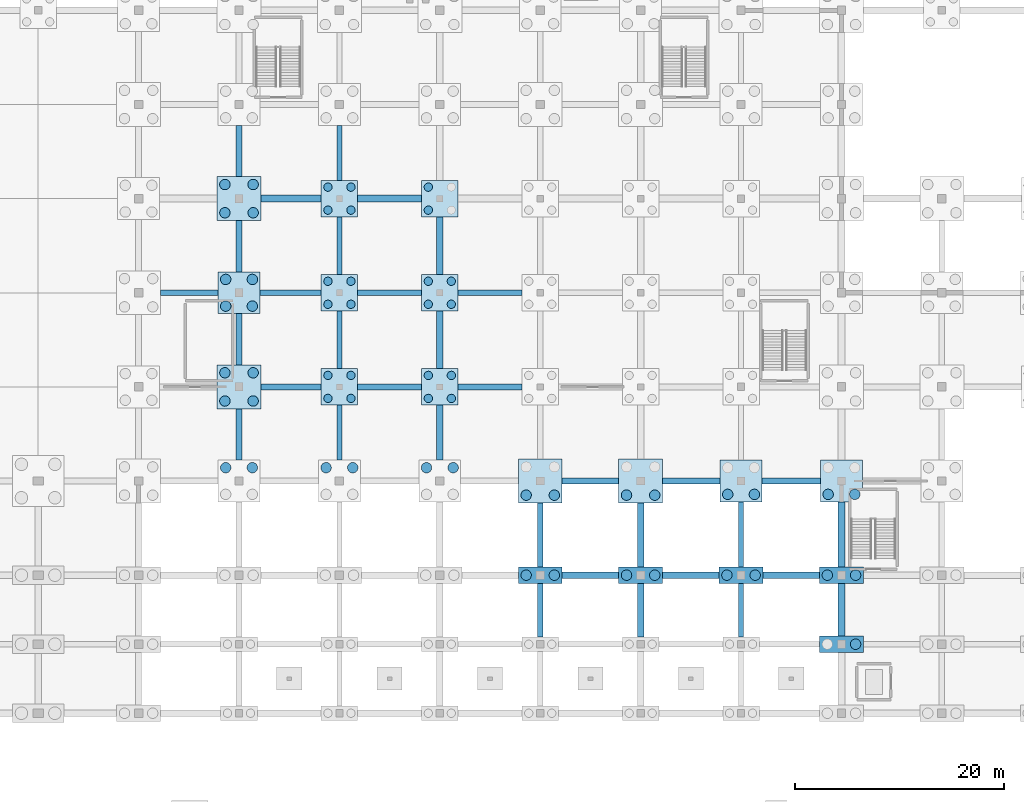
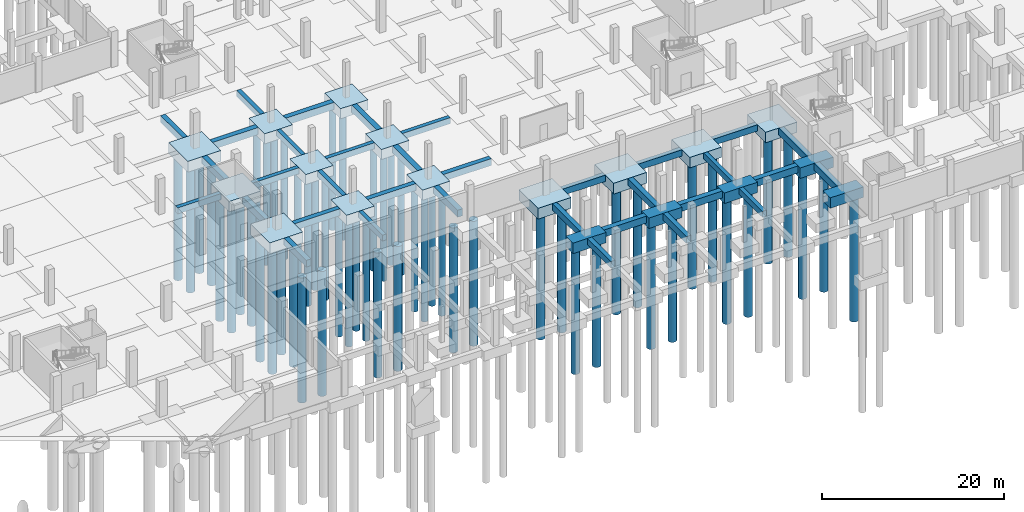
# One storey, part 4 of 39: 57 piles, 52 footings.
"""IFC4 building model written with IfcOpenShell, lengths in metres."""

from ifc_helpers import new_model, si_unit, direction, frame, origin, origin_2d, place, context, subcontext, project, spatial, polyline, rectangle, circle, outline, extrude, material, material_profile, profile_set, type_object, element, save


model = new_model("IFC4")

# Units and contexts
model_context = context("Model", 3, precision=1e-05, world=origin(), true_north=direction((0.0, 1.0)))
body_context = subcontext(model_context, "Body", "Model", "MODEL_VIEW")
ifc_project = project(units=[si_unit("LENGTHUNIT", "METRE"), si_unit("AREAUNIT", "SQUARE_METRE"), si_unit("VOLUMEUNIT", "CUBIC_METRE"), si_unit("PLANEANGLEUNIT", "RADIAN"), si_unit("MASSUNIT", "GRAM", prefix="KILO")], contexts=[model_context])

# Site, building, storey
site_placement = place(None, origin())
site = spatial("IfcSite", under=ifc_project, at=site_placement, CompositionType="ELEMENT")
building_placement = place(site_placement, origin())
building = spatial("IfcBuilding", under=site, at=building_placement, Name="Zarnetskaya Central Station", CompositionType="ELEMENT")
storey_placement = place(building_placement, frame((0.0, 0.0, -4.800048828125)))
storey = spatial("IfcBuildingStorey", under=building, at=storey_placement, Name="B1", CompositionType="ELEMENT", Elevation=-4.800048828125)

# Footings
ifc_material_1 = material(Name="Concrete C30/37", Category="concrete")
footing_type_1 = type_object("IfcFootingType", Name="FB-500x800", PredefinedType="FOOTING_BEAM", material=ifc_material_1)
footing_1_placement = place(storey_placement, frame((0.0, 0.0, -0.800048828125)))
element("IfcFooting", 1, at=footing_1_placement, inside=storey, type_object=footing_type_1, Name="Footing tie beam 6 G-H", PredefinedType="FOOTING_BEAM", context=body_context, shape_type="SweptSolid", body=[
    extrude(outline(polyline([(59.699951171875, 39.949951171875), (65.199951171875, 39.949951171875), (65.199951171875, 40.449951171875), (59.699951171875, 40.449951171875), (59.699951171875, 39.949951171875)])), origin(), (0.0, 0.0, 1.0), 0.800048828125),
])
footing_2_placement = place(storey_placement, frame((0.0, 0.0, -0.800048828125)))
element("IfcFooting", 2, at=footing_2_placement, inside=storey, type_object=footing_type_1, Name="Footing tie beam 6 H-J", PredefinedType="FOOTING_BEAM", context=body_context, shape_type="SweptSolid", body=[
    extrude(outline(polyline([(69.199951171875, 39.949951171875), (75.050048828125, 39.949951171875), (75.050048828125, 40.449951171875), (69.199951171875, 40.449951171875), (69.199951171875, 39.949951171875)])), origin(), (0.0, 0.0, 1.0), 0.800048828125),
])
footing_3_placement = place(storey_placement, frame((0.0, 0.0, -0.800048828125)))
element("IfcFooting", 3, at=footing_3_placement, inside=storey, type_object=footing_type_1, Name="Footing tie beam 6 J-K", PredefinedType="FOOTING_BEAM", context=body_context, shape_type="SweptSolid", body=[
    extrude(outline(polyline([(78.550048828125, 39.949951171875), (84.64990234375, 39.949951171875), (84.64990234375, 40.449951171875), (78.550048828125, 40.449951171875), (78.550048828125, 39.949951171875)])), origin(), (0.0, 0.0, 1.0), 0.800048828125),
])
footing_4_placement = place(storey_placement, frame((0.0, 0.0, -0.800048828125)))
element("IfcFooting", 4, at=footing_4_placement, inside=storey, type_object=footing_type_1, Name="Footing tie beam 6 K-L", PredefinedType="FOOTING_BEAM", context=body_context, shape_type="SweptSolid", body=[
    extrude(outline(polyline([(88.14990234375, 39.949951171875), (94.25, 39.949951171875), (94.25, 40.449951171875), (88.14990234375, 40.449951171875), (88.14990234375, 39.949951171875)])), origin(), (0.0, 0.0, 1.0), 0.800048828125),
])
footing_5_placement = place(storey_placement, frame((0.0, 0.0, -0.800048828125)))
element("IfcFooting", 5, at=footing_5_placement, inside=storey, type_object=footing_type_1, Name="Footing tie beam J 4-5", PredefinedType="FOOTING_BEAM", context=body_context, shape_type="SweptSolid", body=[
    extrude(outline(polyline([(76.550048828125, 24.199951171875), (77.050048828125, 24.199951171875), (77.050048828125, 29.449951171875), (76.550048828125, 29.449951171875), (76.550048828125, 24.199951171875)])), origin(), (0.0, 0.0, 1.0), 0.800048828125),
])
footing_6_placement = place(storey_placement, frame((0.0, 0.0, -0.800048828125)))
element("IfcFooting", 6, at=footing_6_placement, inside=storey, type_object=footing_type_1, Name="Footing tie beam J 5-6", PredefinedType="FOOTING_BEAM", context=body_context, shape_type="SweptSolid", body=[
    extrude(outline(polyline([(76.550048828125, 32.949951171875), (77.050048828125, 32.949951171875), (77.050048828125, 38.449951171875), (76.550048828125, 38.449951171875), (76.550048828125, 32.949951171875)])), origin(), (0.0, 0.0, 1.0), 0.800048828125),
])
footing_7_placement = place(storey_placement, frame((0.0, 0.0, -0.800048828125)))
element("IfcFooting", 7, at=footing_7_placement, inside=storey, type_object=footing_type_1, Name="Footing tie beam J 6-7", PredefinedType="FOOTING_BEAM", context=body_context, shape_type="SweptSolid", body=[
    extrude(outline(polyline([(76.550048828125, 41.949951171875), (77.050048828125, 41.949951171875), (77.050048828125, 47.449951171875), (76.550048828125, 47.449951171875), (76.550048828125, 41.949951171875)])), origin(), (0.0, 0.0, 1.0), 0.800048828125),
])
footing_8_placement = place(storey_placement, frame((0.0, 0.0, -0.800048828125)))
element("IfcFooting", 8, at=footing_8_placement, inside=storey, type_object=footing_type_1, Name="Footing tie beam J 7-8", PredefinedType="FOOTING_BEAM", context=body_context, shape_type="SweptSolid", body=[
    extrude(outline(polyline([(76.550048828125, 50.949951171875), (77.050048828125, 50.949951171875), (77.050048828125, 56.199951171875), (76.550048828125, 56.199951171875), (76.550048828125, 50.949951171875)])), origin(), (0.0, 0.0, 1.0), 0.800048828125),
])
footing_9_placement = place(storey_placement, frame((0.0, 0.0, -0.800048828125)))
element("IfcFooting", 9, at=footing_9_placement, inside=storey, type_object=footing_type_1, Name="Footing tie beam N 2-3", PredefinedType="FOOTING_BEAM", context=body_context, shape_type="SweptSolid", body=[
    extrude(outline(polyline([(114.949951171875, 7.27490234375), (115.449951171875, 7.27490234375), (115.449951171875, 12.39990234375), (114.949951171875, 12.39990234375), (114.949951171875, 7.27490234375)])), origin(), (0.0, 0.0, 1.0), 0.800048828125),
])
footing_10_placement = place(storey_placement, frame((0.0, 0.0, -0.800048828125)))
element("IfcFooting", 10, at=footing_10_placement, inside=storey, type_object=footing_type_1, Name="Footing tie beam N 3-4", PredefinedType="FOOTING_BEAM", context=body_context, shape_type="SweptSolid", body=[
    extrude(outline(polyline([(114.949951171875, 14.0), (115.449951171875, 14.0), (115.449951171875, 20.199951171875), (114.949951171875, 20.199951171875), (114.949951171875, 14.0)])), origin(), (0.0, 0.0, 1.0), 0.800048828125),
])
footing_type_2 = type_object("IfcFootingType", Name="FB-550x850", PredefinedType="FOOTING_BEAM", material=ifc_material_1)
footing_11_placement = place(storey_placement, frame((0.0, 0.0, -0.849853515625)))
element("IfcFooting", 11, at=footing_11_placement, inside=storey, type_object=footing_type_2, Name="Footing tie beam 4 L-M", PredefinedType="FOOTING_BEAM", context=body_context, shape_type="SweptSolid", body=[
    extrude(outline(polyline([(98.10009765625, 21.925048828125), (103.5, 21.925048828125), (103.5, 22.47509765625), (98.10009765625, 22.47509765625), (98.10009765625, 21.925048828125)])), origin(), (0.0, 0.0, 1.0), 0.849853515625),
])
footing_12_placement = place(storey_placement, frame((0.0, 0.0, -0.849853515625)))
element("IfcFooting", 12, at=footing_12_placement, inside=storey, type_object=footing_type_2, Name="Footing tie beam 4 M-N", PredefinedType="FOOTING_BEAM", context=body_context, shape_type="SweptSolid", body=[
    extrude(outline(polyline([(107.699951171875, 21.925048828125), (113.199951171875, 21.925048828125), (113.199951171875, 22.47509765625), (107.699951171875, 22.47509765625), (107.699951171875, 21.925048828125)])), origin(), (0.0, 0.0, 1.0), 0.849853515625),
])
footing_13_placement = place(storey_placement, frame((0.0, 0.0, -0.849853515625)))
element("IfcFooting", 13, at=footing_13_placement, inside=storey, type_object=footing_type_2, Name="Footing tie beam 4 N-P", PredefinedType="FOOTING_BEAM", context=body_context, shape_type="SweptSolid", body=[
    extrude(outline(polyline([(117.199951171875, 21.925048828125), (122.800048828125, 21.925048828125), (122.800048828125, 22.47509765625), (117.199951171875, 22.47509765625), (117.199951171875, 21.925048828125)])), origin(), (0.0, 0.0, 1.0), 0.849853515625),
])
footing_14_placement = place(storey_placement, frame((0.0, 0.0, -0.849853515625)))
element("IfcFooting", 14, at=footing_14_placement, inside=storey, type_object=footing_type_2, Name="Footing tie beam L 2-3", PredefinedType="FOOTING_BEAM", context=body_context, shape_type="SweptSolid", body=[
    extrude(outline(polyline([(95.72509765625, 7.27490234375), (96.27490234375, 7.27490234375), (96.27490234375, 12.39990234375), (95.72509765625, 12.39990234375), (95.72509765625, 7.27490234375)])), origin(), (0.0, 0.0, 1.0), 0.849853515625),
])
footing_15_placement = place(storey_placement, frame((0.0, 0.0, -0.849853515625)))
element("IfcFooting", 15, at=footing_15_placement, inside=storey, type_object=footing_type_2, Name="Footing tie beam L 3-4", PredefinedType="FOOTING_BEAM", context=body_context, shape_type="SweptSolid", body=[
    extrude(outline(polyline([(95.72509765625, 14.0), (96.27490234375, 14.0), (96.27490234375, 20.10009765625), (95.72509765625, 20.10009765625), (95.72509765625, 14.0)])), origin(), (0.0, 0.0, 1.0), 0.849853515625),
])
footing_type_3 = type_object("IfcFootingType", Name="FB-600x900", PredefinedType="FOOTING_BEAM", material=ifc_material_1)
footing_16_placement = place(storey_placement, frame((0.0, 0.0, -0.89990234375)))
element("IfcFooting", 16, at=footing_16_placement, inside=storey, type_object=footing_type_3, Name="Footing tie beam 5 H-J", PredefinedType="FOOTING_BEAM", context=body_context, shape_type="SweptSolid", body=[
    extrude(outline(polyline([(69.300048828125, 30.89990234375), (75.050048828125, 30.89990234375), (75.050048828125, 31.5), (69.300048828125, 31.5), (69.300048828125, 30.89990234375)])), origin(), (0.0, 0.0, 1.0), 0.89990234375),
])
footing_17_placement = place(storey_placement, frame((0.0, 0.0, -0.89990234375)))
element("IfcFooting", 17, at=footing_17_placement, inside=storey, type_object=footing_type_3, Name="Footing tie beam 5 J-K", PredefinedType="FOOTING_BEAM", context=body_context, shape_type="SweptSolid", body=[
    extrude(outline(polyline([(78.550048828125, 30.89990234375), (84.64990234375, 30.89990234375), (84.64990234375, 31.5), (78.550048828125, 31.5), (78.550048828125, 30.89990234375)])), origin(), (0.0, 0.0, 1.0), 0.89990234375),
])
footing_18_placement = place(storey_placement, frame((0.0, 0.0, -0.89990234375)))
element("IfcFooting", 18, at=footing_18_placement, inside=storey, type_object=footing_type_3, Name="Footing tie beam 5 K-L", PredefinedType="FOOTING_BEAM", context=body_context, shape_type="SweptSolid", body=[
    extrude(outline(polyline([(88.14990234375, 30.89990234375), (94.25, 30.89990234375), (94.25, 31.5), (88.14990234375, 31.5), (88.14990234375, 30.89990234375)])), origin(), (0.0, 0.0, 1.0), 0.89990234375),
])
footing_19_placement = place(storey_placement, frame((0.0, 0.0, -0.89990234375)))
element("IfcFooting", 19, at=footing_19_placement, inside=storey, type_object=footing_type_3, Name="Footing tie beam H 4-5", PredefinedType="FOOTING_BEAM", context=body_context, shape_type="SweptSolid", body=[
    extrude(outline(polyline([(66.89990234375, 24.199951171875), (67.5, 24.199951171875), (67.5, 29.10009765625), (66.89990234375, 29.10009765625), (66.89990234375, 24.199951171875)])), origin(), (0.0, 0.0, 1.0), 0.89990234375),
])
footing_20_placement = place(storey_placement, frame((0.0, 0.0, -0.89990234375)))
element("IfcFooting", 20, at=footing_20_placement, inside=storey, type_object=footing_type_3, Name="Footing tie beam H 5-6", PredefinedType="FOOTING_BEAM", context=body_context, shape_type="SweptSolid", body=[
    extrude(outline(polyline([(66.89990234375, 33.300048828125), (67.5, 33.300048828125), (67.5, 38.199951171875), (66.89990234375, 38.199951171875), (66.89990234375, 33.300048828125)])), origin(), (0.0, 0.0, 1.0), 0.89990234375),
])
footing_21_placement = place(storey_placement, frame((0.0, 0.0, -0.89990234375)))
element("IfcFooting", 21, at=footing_21_placement, inside=storey, type_object=footing_type_3, Name="Footing tie beam H 6-7", PredefinedType="FOOTING_BEAM", context=body_context, shape_type="SweptSolid", body=[
    extrude(outline(polyline([(66.89990234375, 42.199951171875), (67.5, 42.199951171875), (67.5, 47.10009765625), (66.89990234375, 47.10009765625), (66.89990234375, 42.199951171875)])), origin(), (0.0, 0.0, 1.0), 0.89990234375),
])
footing_22_placement = place(storey_placement, frame((0.0, 0.0, -0.89990234375)))
element("IfcFooting", 22, at=footing_22_placement, inside=storey, type_object=footing_type_3, Name="Footing tie beam H 7-8", PredefinedType="FOOTING_BEAM", context=body_context, shape_type="SweptSolid", body=[
    extrude(outline(polyline([(66.89990234375, 51.300048828125), (67.5, 51.300048828125), (67.5, 56.199951171875), (66.89990234375, 56.199951171875), (66.89990234375, 51.300048828125)])), origin(), (0.0, 0.0, 1.0), 0.89990234375),
])
footing_23_placement = place(storey_placement, frame((0.0, 0.0, -0.89990234375)))
element("IfcFooting", 23, at=footing_23_placement, inside=storey, type_object=footing_type_3, Name="Footing tie beam M 2-3", PredefinedType="FOOTING_BEAM", context=body_context, shape_type="SweptSolid", body=[
    extrude(outline(polyline([(105.300048828125, 7.27490234375), (105.89990234375, 7.27490234375), (105.89990234375, 12.39990234375), (105.300048828125, 12.39990234375), (105.300048828125, 7.27490234375)])), origin(), (0.0, 0.0, 1.0), 0.89990234375),
])
footing_24_placement = place(storey_placement, frame((0.0, 0.0, -0.89990234375)))
element("IfcFooting", 24, at=footing_24_placement, inside=storey, type_object=footing_type_3, Name="Footing tie beam M 3-4", PredefinedType="FOOTING_BEAM", context=body_context, shape_type="SweptSolid", body=[
    extrude(outline(polyline([(105.300048828125, 14.0), (105.89990234375, 14.0), (105.89990234375, 20.10009765625), (105.300048828125, 20.10009765625), (105.300048828125, 14.0)])), origin(), (0.0, 0.0, 1.0), 0.89990234375),
])
footing_type_4 = type_object("IfcFootingType", Name="FB-650x950", PredefinedType="FOOTING_BEAM", material=ifc_material_1)
footing_25_placement = place(storey_placement, frame((0.0, 0.0, -0.949951171875)))
element("IfcFooting", 25, at=footing_25_placement, inside=storey, type_object=footing_type_4, Name="Footing tie beam 3 L-M", PredefinedType="FOOTING_BEAM", context=body_context, shape_type="SweptSolid", body=[
    extrude(outline(polyline([(98.10009765625, 12.875), (103.5, 12.875), (103.5, 13.52490234375), (98.10009765625, 13.52490234375), (98.10009765625, 12.875)])), origin(), (0.0, 0.0, 1.0), 0.949951171875),
])
footing_26_placement = place(storey_placement, frame((0.0, 0.0, -0.949951171875)))
element("IfcFooting", 26, at=footing_26_placement, inside=storey, type_object=footing_type_4, Name="Footing tie beam 3 M-N", PredefinedType="FOOTING_BEAM", context=body_context, shape_type="SweptSolid", body=[
    extrude(outline(polyline([(107.699951171875, 12.875), (113.10009765625, 12.875), (113.10009765625, 13.52490234375), (107.699951171875, 13.52490234375), (107.699951171875, 12.875)])), origin(), (0.0, 0.0, 1.0), 0.949951171875),
])
footing_27_placement = place(storey_placement, frame((0.0, 0.0, -0.949951171875)))
element("IfcFooting", 27, at=footing_27_placement, inside=storey, type_object=footing_type_4, Name="Footing tie beam 3 N-P", PredefinedType="FOOTING_BEAM", context=body_context, shape_type="SweptSolid", body=[
    extrude(outline(polyline([(117.300048828125, 12.875), (122.699951171875, 12.875), (122.699951171875, 13.52490234375), (117.300048828125, 13.52490234375), (117.300048828125, 12.875)])), origin(), (0.0, 0.0, 1.0), 0.949951171875),
])
footing_28_placement = place(storey_placement, frame((0.0, 0.0, -0.949951171875)))
element("IfcFooting", 28, at=footing_28_placement, inside=storey, type_object=footing_type_4, Name="Footing tie beam 7 H-J", PredefinedType="FOOTING_BEAM", context=body_context, shape_type="SweptSolid", body=[
    extrude(outline(polyline([(69.300048828125, 48.875), (75.050048828125, 48.875), (75.050048828125, 49.52490234375), (69.300048828125, 49.52490234375), (69.300048828125, 48.875)])), origin(), (0.0, 0.0, 1.0), 0.949951171875),
])
footing_29_placement = place(storey_placement, frame((0.0, 0.0, -0.949951171875)))
element("IfcFooting", 29, at=footing_29_placement, inside=storey, type_object=footing_type_4, Name="Footing tie beam 7 J-K", PredefinedType="FOOTING_BEAM", context=body_context, shape_type="SweptSolid", body=[
    extrude(outline(polyline([(78.550048828125, 48.875), (84.64990234375, 48.875), (84.64990234375, 49.52490234375), (78.550048828125, 49.52490234375), (78.550048828125, 48.875)])), origin(), (0.0, 0.0, 1.0), 0.949951171875),
])
footing_30_placement = place(storey_placement, frame((0.0, 0.0, -0.949951171875)))
element("IfcFooting", 30, at=footing_30_placement, inside=storey, type_object=footing_type_4, Name="Footing tie beam K 4-5", PredefinedType="FOOTING_BEAM", context=body_context, shape_type="SweptSolid", body=[
    extrude(outline(polyline([(86.074951171875, 24.199951171875), (86.72509765625, 24.199951171875), (86.72509765625, 29.449951171875), (86.074951171875, 29.449951171875), (86.074951171875, 24.199951171875)])), origin(), (0.0, 0.0, 1.0), 0.949951171875),
])
footing_31_placement = place(storey_placement, frame((0.0, 0.0, -0.949951171875)))
element("IfcFooting", 31, at=footing_31_placement, inside=storey, type_object=footing_type_4, Name="Footing tie beam K 5-6", PredefinedType="FOOTING_BEAM", context=body_context, shape_type="SweptSolid", body=[
    extrude(outline(polyline([(86.074951171875, 32.949951171875), (86.72509765625, 32.949951171875), (86.72509765625, 38.449951171875), (86.074951171875, 38.449951171875), (86.074951171875, 32.949951171875)])), origin(), (0.0, 0.0, 1.0), 0.949951171875),
])
footing_32_placement = place(storey_placement, frame((0.0, 0.0, -0.949951171875)))
element("IfcFooting", 32, at=footing_32_placement, inside=storey, type_object=footing_type_4, Name="Footing tie beam K 6-7", PredefinedType="FOOTING_BEAM", context=body_context, shape_type="SweptSolid", body=[
    extrude(outline(polyline([(86.074951171875, 41.949951171875), (86.72509765625, 41.949951171875), (86.72509765625, 47.449951171875), (86.074951171875, 47.449951171875), (86.074951171875, 41.949951171875)])), origin(), (0.0, 0.0, 1.0), 0.949951171875),
])
footing_33_placement = place(storey_placement, frame((0.0, 0.0, -0.949951171875)))
element("IfcFooting", 33, at=footing_33_placement, inside=storey, type_object=footing_type_4, Name="Footing tie beam P 2-3", PredefinedType="FOOTING_BEAM", context=body_context, shape_type="SweptSolid", body=[
    extrude(outline(polyline([(124.47509765625, 7.39990234375), (125.125, 7.39990234375), (125.125, 12.39990234375), (124.47509765625, 12.39990234375), (124.47509765625, 7.39990234375)])), origin(), (0.0, 0.0, 1.0), 0.949951171875),
])
footing_34_placement = place(storey_placement, frame((0.0, 0.0, -0.949951171875)))
element("IfcFooting", 34, at=footing_34_placement, inside=storey, type_object=footing_type_4, Name="Footing tie beam P 3-4", PredefinedType="FOOTING_BEAM", context=body_context, shape_type="SweptSolid", body=[
    extrude(outline(polyline([(124.47509765625, 14.0), (125.125, 14.0), (125.125, 20.199951171875), (124.47509765625, 20.199951171875), (124.47509765625, 14.0)])), origin(), (0.0, 0.0, 1.0), 0.949951171875),
])
ifc_material_2 = material(Name="Concrete C35/45", Category="concrete")
footing_type_5 = type_object("IfcFootingType", Name="PC-2P-1000X", PredefinedType="PILE_CAP", material=ifc_material_2)
for number, where, z_axis, x_axis, name in (
    (35, (96.0, 13.199951171875, -1.39990234375), (0.0, 0.0, 1.0), (1.0, 0.0, 0.0), "Pile cap L3"),
    (36, (105.60009765625, 13.199951171875, -1.39990234375), (0.0, 0.0, 1.0), (1.0, 0.0, 0.0), "Pile cap M3"),
    (37, (115.199951171875, 13.199951171875, -1.39990234375), (0.0, 0.0, 1.0), (1.0, 0.0, 0.0), "Pile cap N3"),
    (38, (124.800048828125, 6.60009765625, -1.39990234375), (0.0, 0.0, 1.0), (1.0, 0.0, 0.0), "Pile cap P2"),
    (39, (124.800048828125, 13.199951171875, -1.39990234375), (0.0, 0.0, 1.0), (1.0, 0.0, 0.0), "Pile cap P3"),
):
    element("IfcFooting", number, at=place(storey_placement, frame(where, z_axis=z_axis, x_axis=x_axis)), inside=storey, type_object=footing_type_5, Name=name, PredefinedType="PILE_CAP", context=body_context, shape_type="SweptSolid", body=[
        extrude(rectangle(XDim=4.199951171875, YDim=1.60009765625, at=origin_2d()), origin(), (0.0, 0.0, 1.0), 1.39990234375),
    ])
footing_type_6 = type_object("IfcFootingType", Name="PC-4P-1000A", PredefinedType="PILE_CAP", material=ifc_material_2)
for number, where, z_axis, x_axis, name in (
    (40, (67.199951171875, 31.199951171875, -1.44970703125), (0.0, 0.0, 1.0), (1.0, 0.0, 0.0), "Pile cap H5"),
    (41, (67.199951171875, 49.199951171875, -1.44970703125), (0.0, 0.0, 1.0), (1.0, 0.0, 0.0), "Pile cap H7"),
    (42, (96.0, 22.199951171875, -1.44970703125), (0.0, 0.0, 1.0), (1.0, 0.0, 0.0), "Pile cap L4"),
    (43, (105.60009765625, 22.199951171875, -1.44970703125), (0.0, 0.0, 1.0), (1.0, 0.0, 0.0), "Pile cap M4"),
):
    element("IfcFooting", number, at=place(storey_placement, frame(where, z_axis=z_axis, x_axis=x_axis)), inside=storey, type_object=footing_type_6, Name=name, PredefinedType="PILE_CAP", context=body_context, shape_type="SweptSolid", body=[
        extrude(rectangle(XDim=4.199951171875, YDim=4.199951171875, at=origin_2d()), origin(), (0.0, 0.0, 1.0), 1.449951171875),
    ])
footing_type_7 = type_object("IfcFootingType", Name="PC-4P-1000B", PredefinedType="PILE_CAP", material=ifc_material_2)
for number, where, z_axis, x_axis, name in (
    (44, (67.199951171875, 40.199951171875, -1.39990234375), (0.0, 0.0, 1.0), (1.0, 0.0, 0.0), "Pile cap H6"),
    (45, (115.199951171875, 22.199951171875, -1.39990234375), (0.0, 0.0, 1.0), (1.0, 0.0, 0.0), "Pile cap N4"),
    (46, (124.800048828125, 22.199951171875, -1.39990234375), (0.0, 0.0, 1.0), (1.0, 0.0, 0.0), "Pile cap P4"),
):
    element("IfcFooting", number, at=place(storey_placement, frame(where, z_axis=z_axis, x_axis=x_axis)), inside=storey, type_object=footing_type_7, Name=name, PredefinedType="PILE_CAP", context=body_context, shape_type="SweptSolid", body=[
        extrude(rectangle(XDim=4.0, YDim=4.0, at=origin_2d()), origin(), (0.0, 0.0, 1.0), 1.39990234375),
    ])
footing_type_8 = type_object("IfcFootingType", Name="PC-4P-800A", PredefinedType="PILE_CAP", material=ifc_material_2)
for number, where, z_axis, x_axis, name in (
    (47, (76.800048828125, 31.199951171875, -1.35009765625), (0.0, 0.0, 1.0), (1.0, 0.0, 0.0), "Pile cap J5"),
    (48, (76.800048828125, 40.199951171875, -1.35009765625), (0.0, 0.0, 1.0), (1.0, 0.0, 0.0), "Pile cap J6"),
    (49, (76.800048828125, 49.199951171875, -1.35009765625), (0.0, 0.0, 1.0), (1.0, 0.0, 0.0), "Pile cap J7"),
    (50, (86.39990234375, 31.199951171875, -1.35009765625), (0.0, 0.0, 1.0), (1.0, 0.0, 0.0), "Pile cap K5"),
    (51, (86.39990234375, 40.199951171875, -1.35009765625), (0.0, 0.0, 1.0), (1.0, 0.0, 0.0), "Pile cap K6"),
    (52, (86.39990234375, 49.199951171875, -1.35009765625), (0.0, 0.0, 1.0), (1.0, 0.0, 0.0), "Pile cap K7"),
):
    element("IfcFooting", number, at=place(storey_placement, frame(where, z_axis=z_axis, x_axis=x_axis)), inside=storey, type_object=footing_type_8, Name=name, PredefinedType="PILE_CAP", context=body_context, shape_type="SweptSolid", body=[
        extrude(rectangle(XDim=3.5, YDim=3.5, at=origin_2d()), origin(), (0.0, 0.0, 1.0), 1.35009765625),
    ])

# Piles
ifc_material_profile_1 = material_profile(ifc_material_2, circle(Radius=0.5, at=origin_2d()), Name="BORED PILE D1000")
ifc_profile_set_1 = profile_set([ifc_material_profile_1], Name="Concrete C35/45")
pile_type_1 = type_object("IfcPileType", Name="PILE-D1000", PredefinedType="BORED", material=ifc_profile_set_1)
for number, where, z_axis, x_axis, name in (
    (53, (65.925048828125, 23.47509765625, -1.25), (0.0, 0.0, -1.0), (1.0, 0.0, 0.0), "Bored pile H4-12"),
    (54, (68.47509765625, 23.47509765625, -1.25), (0.0, 0.0, -1.0), (1.0, 0.0, 0.0), "Bored pile H4-22"),
):
    element("IfcPile", number, at=place(storey_placement, frame(where, z_axis=z_axis, x_axis=x_axis)), inside=storey, type_object=pile_type_1, Name=name, PredefinedType="BORED", context=body_context, shape_type="SweptSolid", body=[
        extrude(circle(Radius=0.5, at=origin_2d()), origin(), (0.0, 0.0, 1.0), 16.75),
    ])
for number, where, z_axis, x_axis, name in (
    (55, (65.85009765625, 29.85009765625, -1.300048828125), (0.0, 0.0, -1.0), (1.0, 0.0, 0.0), "Bored pile H5-11"),
    (56, (65.85009765625, 32.550048828125, -1.300048828125), (0.0, 0.0, -1.0), (1.0, 0.0, 0.0), "Bored pile H5-12"),
    (57, (68.550048828125, 29.85009765625, -1.300048828125), (0.0, 0.0, -1.0), (1.0, 0.0, 0.0), "Bored pile H5-21"),
    (58, (68.550048828125, 32.550048828125, -1.300048828125), (0.0, 0.0, -1.0), (1.0, 0.0, 0.0), "Bored pile H5-22"),
):
    element("IfcPile", number, at=place(storey_placement, frame(where, z_axis=z_axis, x_axis=x_axis)), inside=storey, type_object=pile_type_1, Name=name, PredefinedType="BORED", context=body_context, shape_type="SweptSolid", body=[
        extrude(circle(Radius=0.5, at=origin_2d()), origin(), (0.0, 0.0, 1.0), 16.699951171875),
    ])
for number, where, z_axis, x_axis, name in (
    (59, (65.925048828125, 38.925048828125, -1.25), (0.0, 0.0, -1.0), (1.0, 0.0, 0.0), "Bored pile H6-11"),
    (60, (65.925048828125, 41.47509765625, -1.25), (0.0, 0.0, -1.0), (1.0, 0.0, 0.0), "Bored pile H6-12"),
    (61, (68.47509765625, 38.925048828125, -1.25), (0.0, 0.0, -1.0), (1.0, 0.0, 0.0), "Bored pile H6-21"),
    (62, (68.47509765625, 41.47509765625, -1.25), (0.0, 0.0, -1.0), (1.0, 0.0, 0.0), "Bored pile H6-22"),
):
    element("IfcPile", number, at=place(storey_placement, frame(where, z_axis=z_axis, x_axis=x_axis)), inside=storey, type_object=pile_type_1, Name=name, PredefinedType="BORED", context=body_context, shape_type="SweptSolid", body=[
        extrude(circle(Radius=0.5, at=origin_2d()), origin(), (0.0, 0.0, 1.0), 16.75),
    ])
for number, where, z_axis, x_axis, name in (
    (63, (65.85009765625, 47.85009765625, -1.300048828125), (0.0, 0.0, -1.0), (1.0, 0.0, 0.0), "Bored pile H7-11"),
    (64, (65.85009765625, 50.550048828125, -1.300048828125), (0.0, 0.0, -1.0), (1.0, 0.0, 0.0), "Bored pile H7-12"),
    (65, (68.550048828125, 47.85009765625, -1.300048828125), (0.0, 0.0, -1.0), (1.0, 0.0, 0.0), "Bored pile H7-21"),
    (66, (68.550048828125, 50.550048828125, -1.300048828125), (0.0, 0.0, -1.0), (1.0, 0.0, 0.0), "Bored pile H7-22"),
):
    element("IfcPile", number, at=place(storey_placement, frame(where, z_axis=z_axis, x_axis=x_axis)), inside=storey, type_object=pile_type_1, Name=name, PredefinedType="BORED", context=body_context, shape_type="SweptSolid", body=[
        extrude(circle(Radius=0.5, at=origin_2d()), origin(), (0.0, 0.0, 1.0), 16.699951171875),
    ])
for number, where, z_axis, x_axis, name in (
    (67, (75.52490234375, 23.47509765625, -1.25), (0.0, 0.0, -1.0), (1.0, 0.0, 0.0), "Bored pile J4-12"),
    (68, (78.074951171875, 23.47509765625, -1.25), (0.0, 0.0, -1.0), (1.0, 0.0, 0.0), "Bored pile J4-22"),
    (69, (85.125, 23.47509765625, -1.25), (0.0, 0.0, -1.0), (1.0, 0.0, 0.0), "Bored pile K4-12"),
    (70, (87.675048828125, 23.47509765625, -1.25), (0.0, 0.0, -1.0), (1.0, 0.0, 0.0), "Bored pile K4-22"),
    (71, (94.64990234375, 13.199951171875, -1.25), (0.0, 0.0, -1.0), (1.0, 0.0, 0.0), "Bored pile L3-11"),
    (72, (97.35009765625, 13.199951171875, -1.25), (0.0, 0.0, -1.0), (1.0, 0.0, 0.0), "Bored pile L3-21"),
):
    element("IfcPile", number, at=place(storey_placement, frame(where, z_axis=z_axis, x_axis=x_axis)), inside=storey, type_object=pile_type_1, Name=name, PredefinedType="BORED", context=body_context, shape_type="SweptSolid", body=[
        extrude(circle(Radius=0.5, at=origin_2d()), origin(), (0.0, 0.0, 1.0), 16.75),
    ])
for number, where, z_axis, x_axis, name in (
    (73, (94.64990234375, 20.85009765625, -1.300048828125), (0.0, 0.0, -1.0), (1.0, 0.0, 0.0), "Bored pile L4-11"),
    (74, (97.35009765625, 20.85009765625, -1.300048828125), (0.0, 0.0, -1.0), (1.0, 0.0, 0.0), "Bored pile L4-21"),
):
    element("IfcPile", number, at=place(storey_placement, frame(where, z_axis=z_axis, x_axis=x_axis)), inside=storey, type_object=pile_type_1, Name=name, PredefinedType="BORED", context=body_context, shape_type="SweptSolid", body=[
        extrude(circle(Radius=0.5, at=origin_2d()), origin(), (0.0, 0.0, 1.0), 16.699951171875),
    ])
for number, where, z_axis, x_axis, name in (
    (75, (104.25, 13.199951171875, -1.25), (0.0, 0.0, -1.0), (1.0, 0.0, 0.0), "Bored pile M3-11"),
    (76, (106.949951171875, 13.199951171875, -1.25), (0.0, 0.0, -1.0), (1.0, 0.0, 0.0), "Bored pile M3-21"),
):
    element("IfcPile", number, at=place(storey_placement, frame(where, z_axis=z_axis, x_axis=x_axis)), inside=storey, type_object=pile_type_1, Name=name, PredefinedType="BORED", context=body_context, shape_type="SweptSolid", body=[
        extrude(circle(Radius=0.5, at=origin_2d()), origin(), (0.0, 0.0, 1.0), 16.75),
    ])
for number, where, z_axis, x_axis, name in (
    (77, (104.25, 20.85009765625, -1.300048828125), (0.0, 0.0, -1.0), (1.0, 0.0, 0.0), "Bored pile M4-11"),
    (78, (106.949951171875, 20.85009765625, -1.300048828125), (0.0, 0.0, -1.0), (1.0, 0.0, 0.0), "Bored pile M4-21"),
):
    element("IfcPile", number, at=place(storey_placement, frame(where, z_axis=z_axis, x_axis=x_axis)), inside=storey, type_object=pile_type_1, Name=name, PredefinedType="BORED", context=body_context, shape_type="SweptSolid", body=[
        extrude(circle(Radius=0.5, at=origin_2d()), origin(), (0.0, 0.0, 1.0), 16.699951171875),
    ])
for number, where, z_axis, x_axis, name in (
    (79, (113.85009765625, 13.199951171875, -1.25), (0.0, 0.0, -1.0), (1.0, 0.0, 0.0), "Bored pile N3-11"),
    (80, (116.550048828125, 13.199951171875, -1.25), (0.0, 0.0, -1.0), (1.0, 0.0, 0.0), "Bored pile N3-21"),
    (81, (113.925048828125, 20.925048828125, -1.25), (0.0, 0.0, -1.0), (1.0, 0.0, 0.0), "Bored pile N4-11"),
    (82, (116.47509765625, 20.925048828125, -1.25), (0.0, 0.0, -1.0), (1.0, 0.0, 0.0), "Bored pile N4-21"),
    (83, (126.14990234375, 6.60009765625, -1.25), (0.0, 0.0, -1.0), (1.0, 0.0, 0.0), "Bored pile P2-21"),
    (84, (123.449951171875, 13.199951171875, -1.25), (0.0, 0.0, -1.0), (1.0, 0.0, 0.0), "Bored pile P3-11"),
    (85, (126.14990234375, 13.199951171875, -1.25), (0.0, 0.0, -1.0), (1.0, 0.0, 0.0), "Bored pile P3-21"),
    (86, (123.52490234375, 20.925048828125, -1.25), (0.0, 0.0, -1.0), (1.0, 0.0, 0.0), "Bored pile P4-11"),
    (87, (126.074951171875, 20.925048828125, -1.25), (0.0, 0.0, -1.0), (1.0, 0.0, 0.0), "Bored pile P4-21"),
):
    element("IfcPile", number, at=place(storey_placement, frame(where, z_axis=z_axis, x_axis=x_axis)), inside=storey, type_object=pile_type_1, Name=name, PredefinedType="BORED", context=body_context, shape_type="SweptSolid", body=[
        extrude(circle(Radius=0.5, at=origin_2d()), origin(), (0.0, 0.0, 1.0), 16.75),
    ])
ifc_material_profile_2 = material_profile(ifc_material_2, circle(Radius=0.39990234375, at=origin_2d()), Name="BORED PILE D800")
ifc_profile_set_2 = profile_set([ifc_material_profile_2], Name="Concrete C35/45")
pile_type_2 = type_object("IfcPileType", Name="PILE-D800", PredefinedType="BORED", material=ifc_profile_set_2)
for number, where, z_axis, x_axis, name in (
    (88, (75.699951171875, 30.10009765625, -1.199951171875), (0.0, 0.0, -1.0), (1.0, 0.0, 0.0), "Bored pile J5-11"),
    (89, (75.699951171875, 32.300048828125, -1.199951171875), (0.0, 0.0, -1.0), (1.0, 0.0, 0.0), "Bored pile J5-12"),
    (90, (77.89990234375, 30.10009765625, -1.199951171875), (0.0, 0.0, -1.0), (1.0, 0.0, 0.0), "Bored pile J5-21"),
    (91, (77.89990234375, 32.300048828125, -1.199951171875), (0.0, 0.0, -1.0), (1.0, 0.0, 0.0), "Bored pile J5-22"),
    (92, (75.699951171875, 39.10009765625, -1.199951171875), (0.0, 0.0, -1.0), (1.0, 0.0, 0.0), "Bored pile J6-11"),
    (93, (75.699951171875, 41.300048828125, -1.199951171875), (0.0, 0.0, -1.0), (1.0, 0.0, 0.0), "Bored pile J6-12"),
    (94, (77.89990234375, 39.10009765625, -1.199951171875), (0.0, 0.0, -1.0), (1.0, 0.0, 0.0), "Bored pile J6-21"),
    (95, (77.89990234375, 41.300048828125, -1.199951171875), (0.0, 0.0, -1.0), (1.0, 0.0, 0.0), "Bored pile J6-22"),
    (96, (75.699951171875, 48.10009765625, -1.199951171875), (0.0, 0.0, -1.0), (1.0, 0.0, 0.0), "Bored pile J7-11"),
    (97, (75.699951171875, 50.300048828125, -1.199951171875), (0.0, 0.0, -1.0), (1.0, 0.0, 0.0), "Bored pile J7-12"),
    (98, (77.89990234375, 48.10009765625, -1.199951171875), (0.0, 0.0, -1.0), (1.0, 0.0, 0.0), "Bored pile J7-21"),
    (99, (77.89990234375, 50.300048828125, -1.199951171875), (0.0, 0.0, -1.0), (1.0, 0.0, 0.0), "Bored pile J7-22"),
    (100, (85.300048828125, 30.10009765625, -1.199951171875), (0.0, 0.0, -1.0), (1.0, 0.0, 0.0), "Bored pile K5-11"),
    (101, (85.300048828125, 32.300048828125, -1.199951171875), (0.0, 0.0, -1.0), (1.0, 0.0, 0.0), "Bored pile K5-12"),
    (102, (87.5, 30.10009765625, -1.199951171875), (0.0, 0.0, -1.0), (1.0, 0.0, 0.0), "Bored pile K5-21"),
    (103, (87.5, 32.300048828125, -1.199951171875), (0.0, 0.0, -1.0), (1.0, 0.0, 0.0), "Bored pile K5-22"),
    (104, (85.300048828125, 39.10009765625, -1.199951171875), (0.0, 0.0, -1.0), (1.0, 0.0, 0.0), "Bored pile K6-11"),
    (105, (85.300048828125, 41.300048828125, -1.199951171875), (0.0, 0.0, -1.0), (1.0, 0.0, 0.0), "Bored pile K6-12"),
    (106, (87.5, 39.10009765625, -1.199951171875), (0.0, 0.0, -1.0), (1.0, 0.0, 0.0), "Bored pile K6-21"),
    (107, (87.5, 41.300048828125, -1.199951171875), (0.0, 0.0, -1.0), (1.0, 0.0, 0.0), "Bored pile K6-22"),
    (108, (85.300048828125, 48.10009765625, -1.199951171875), (0.0, 0.0, -1.0), (1.0, 0.0, 0.0), "Bored pile K7-11"),
    (109, (85.300048828125, 50.300048828125, -1.199951171875), (0.0, 0.0, -1.0), (1.0, 0.0, 0.0), "Bored pile K7-12"),
):
    element("IfcPile", number, at=place(storey_placement, frame(where, z_axis=z_axis, x_axis=x_axis)), inside=storey, type_object=pile_type_2, Name=name, PredefinedType="BORED", context=body_context, shape_type="SweptSolid", body=[
        extrude(circle(Radius=0.39990234375, at=origin_2d()), origin(), (0.0, 0.0, 1.0), 16.800048828125),
    ])

save(model, "model.ifc")
